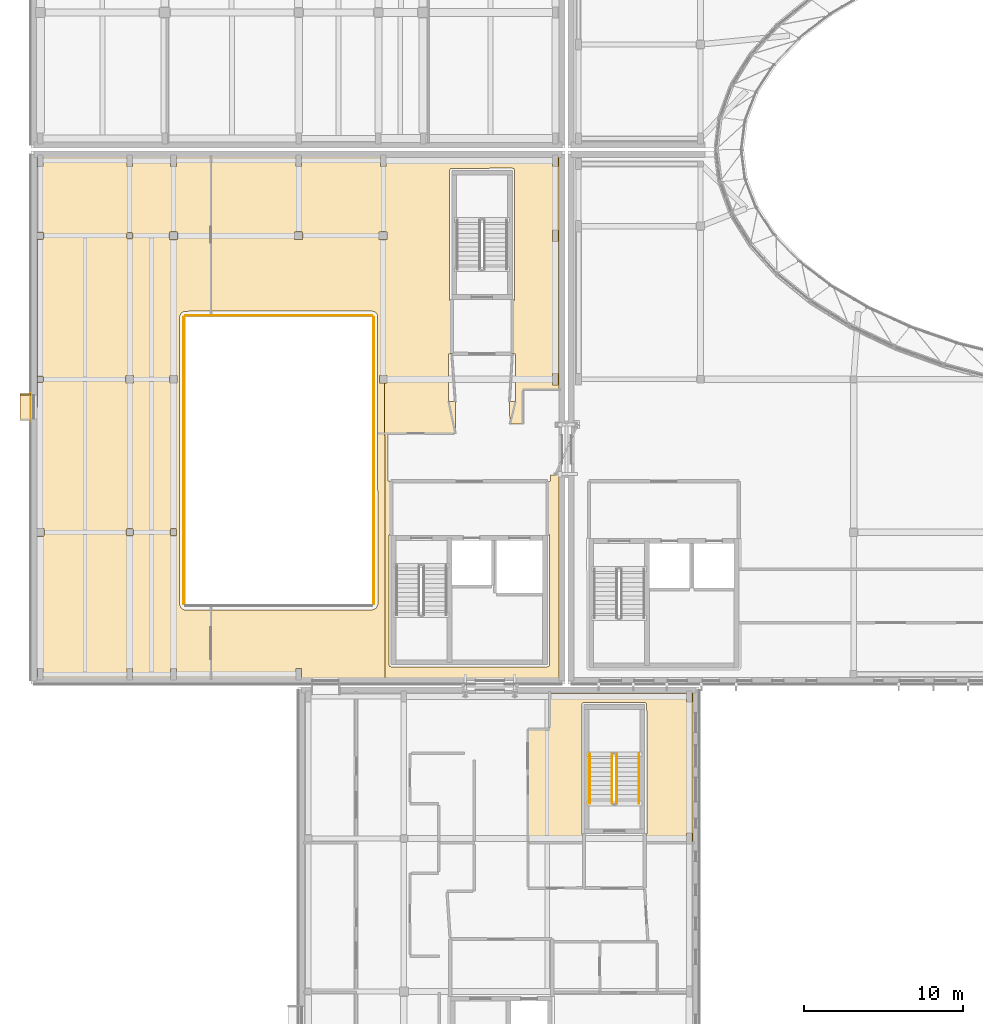
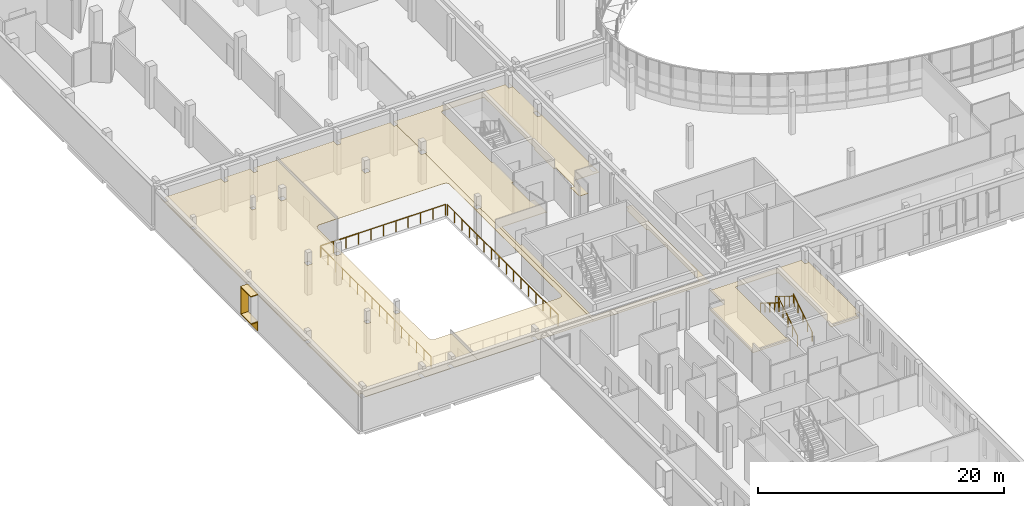
# One storey, part 65 of 84: 8 coverings, 7 railings.
"""IFC4 building model written with IfcOpenShell, lengths in metres."""

from ifc_helpers import new_model, si_unit, direction, frame, origin, origin_2d, place, context, subcontext, project, spatial, polyline, rectangle, circle, outline, extrude, material, layer, layer_set, type_object, element, save


model = new_model("IFC4")

# Units and contexts
model_context = context("Model", 3, precision=1e-05, world=origin(), true_north=direction((0.0, 1.0)))
body_context = subcontext(model_context, "Body", "Model", "MODEL_VIEW")
ifc_project = project(units=[si_unit("LENGTHUNIT", "METRE"), si_unit("AREAUNIT", "SQUARE_METRE"), si_unit("VOLUMEUNIT", "CUBIC_METRE"), si_unit("PLANEANGLEUNIT", "RADIAN"), si_unit("MASSUNIT", "GRAM", prefix="KILO")], contexts=[model_context])

# Site, building, storey
site_placement = place(None, origin())
site = spatial("IfcSite", under=ifc_project, at=site_placement, CompositionType="ELEMENT")
building_placement = place(site_placement, origin())
building = spatial("IfcBuilding", under=site, at=building_placement, Name="Mzevani Central Library", CompositionType="ELEMENT")
storey_placement = place(building_placement, frame((0.0, 0.0, 5.39990234375)))
storey = spatial("IfcBuildingStorey", under=building, at=storey_placement, Name="L01", CompositionType="ELEMENT", Elevation=5.39990234375)

# Railings
ifc_material_1 = material(Name="Brushed stainless steel rail", Category="steel")
railing_type_1 = type_object("IfcRailingType", Name="Interior Gallery and Stair Guard 1100", PredefinedType="BALUSTRADE", material=ifc_material_1)
railing_1_placement = place(storey_placement, frame((22.0, 47.5, 0.0)))
element("IfcRailing", 1, at=railing_1_placement, inside=storey, type_object=railing_type_1, Name="L01 V5 Double-Height Void Guard 16", PredefinedType="BALUSTRADE", context=body_context, shape_type="SweptSolid", body=[
    extrude(circle(Radius=0.02392578125, at=origin_2d()), frame((0.0, 0.0, 1.076171875), z_axis=(0.0, 1.0, 0.0), x_axis=(-1.0, 0.0, 0.0)), (0.0, 0.0, 1.0), 18.0),
    extrude(circle(Radius=0.02099609375, at=origin_2d()), origin(), (0.0, 0.0, 1.0), 1.052001953125),
    extrude(circle(Radius=0.02099609375, at=origin_2d()), frame((0.0, 1.199951171875, 0.0)), (0.0, 0.0, 1.0), 1.052001953125),
    extrude(circle(Radius=0.02099609375, at=origin_2d()), frame((0.0, 2.39990234375, 0.0)), (0.0, 0.0, 1.0), 1.052001953125),
    extrude(circle(Radius=0.02099609375, at=origin_2d()), frame((0.0, 3.60009765625, 0.0)), (0.0, 0.0, 1.0), 1.052001953125),
    extrude(circle(Radius=0.02099609375, at=origin_2d()), frame((0.0, 4.800048828125, 0.0)), (0.0, 0.0, 1.0), 1.052001953125),
    extrude(circle(Radius=0.02099609375, at=origin_2d()), frame((0.0, 6.0, 0.0)), (0.0, 0.0, 1.0), 1.052001953125),
    extrude(circle(Radius=0.02099609375, at=origin_2d()), frame((0.0, 7.199951171875, 0.0)), (0.0, 0.0, 1.0), 1.052001953125),
    extrude(circle(Radius=0.02099609375, at=origin_2d()), frame((0.0, 8.39990234375, 0.0)), (0.0, 0.0, 1.0), 1.052001953125),
    extrude(circle(Radius=0.02099609375, at=origin_2d()), frame((0.0, 9.60009765625, 0.0)), (0.0, 0.0, 1.0), 1.052001953125),
    extrude(circle(Radius=0.02099609375, at=origin_2d()), frame((0.0, 10.800048828125, 0.0)), (0.0, 0.0, 1.0), 1.052001953125),
    extrude(circle(Radius=0.02099609375, at=origin_2d()), frame((0.0, 12.0, 0.0)), (0.0, 0.0, 1.0), 1.052001953125),
    extrude(circle(Radius=0.02099609375, at=origin_2d()), frame((0.0, 13.199951171875, 0.0)), (0.0, 0.0, 1.0), 1.052001953125),
    extrude(circle(Radius=0.02099609375, at=origin_2d()), frame((0.0, 14.39990234375, 0.0)), (0.0, 0.0, 1.0), 1.052001953125),
    extrude(circle(Radius=0.02099609375, at=origin_2d()), frame((0.0, 15.60009765625, 0.0)), (0.0, 0.0, 1.0), 1.052001953125),
    extrude(circle(Radius=0.02099609375, at=origin_2d()), frame((0.0, 16.800048828125, 0.0)), (0.0, 0.0, 1.0), 1.052001953125),
    extrude(circle(Radius=0.02099609375, at=origin_2d()), frame((0.0, 18.0, 0.0)), (0.0, 0.0, 1.0), 1.052001953125),
])
railing_2_placement = place(storey_placement, frame((22.10009765625, 65.60009765625, 0.0)))
element("IfcRailing", 2, at=railing_2_placement, inside=storey, type_object=railing_type_1, Name="L01 V5 Double-Height Void Guard 17", PredefinedType="BALUSTRADE", context=body_context, shape_type="SweptSolid", body=[
    extrude(circle(Radius=0.02392578125, at=origin_2d()), frame((0.0, 0.0, 1.076171875), z_axis=(1.0, 0.0, 0.0), x_axis=(0.0, 1.0, 0.0)), (0.0, 0.0, 1.0), 11.699951171875),
    extrude(circle(Radius=0.02099609375, at=origin_2d()), origin(), (0.0, 0.0, 1.0), 1.052001953125),
    extrude(circle(Radius=0.02099609375, at=origin_2d()), frame((1.169921875, 0.0, 0.0)), (0.0, 0.0, 1.0), 1.052001953125),
    extrude(circle(Radius=0.02099609375, at=origin_2d()), frame((2.340087890625, 0.0, 0.0)), (0.0, 0.0, 1.0), 1.052001953125),
    extrude(circle(Radius=0.02099609375, at=origin_2d()), frame((3.510009765625, 0.0, 0.0)), (0.0, 0.0, 1.0), 1.052001953125),
    extrude(circle(Radius=0.02099609375, at=origin_2d()), frame((4.679931640625, 0.0, 0.0)), (0.0, 0.0, 1.0), 1.052001953125),
    extrude(circle(Radius=0.02099609375, at=origin_2d()), frame((5.85009765625, 0.0, 0.0)), (0.0, 0.0, 1.0), 1.052001953125),
    extrude(circle(Radius=0.02099609375, at=origin_2d()), frame((7.02001953125, 0.0, 0.0)), (0.0, 0.0, 1.0), 1.052001953125),
    extrude(circle(Radius=0.02099609375, at=origin_2d()), frame((8.18994140625, 0.0, 0.0)), (0.0, 0.0, 1.0), 1.052001953125),
    extrude(circle(Radius=0.02099609375, at=origin_2d()), frame((9.35986328125, 0.0, 0.0)), (0.0, 0.0, 1.0), 1.052001953125),
    extrude(circle(Radius=0.02099609375, at=origin_2d()), frame((10.530029296875, 0.0, 0.0)), (0.0, 0.0, 1.0), 1.052001953125),
    extrude(circle(Radius=0.02099609375, at=origin_2d()), frame((11.699951171875, 0.0, 0.0)), (0.0, 0.0, 1.0), 1.052001953125),
])
railing_3_placement = place(storey_placement, frame((33.89990234375, 65.5, 0.0)))
element("IfcRailing", 3, at=railing_3_placement, inside=storey, type_object=railing_type_1, Name="L01 V5 Double-Height Void Guard 18", PredefinedType="BALUSTRADE", context=body_context, shape_type="SweptSolid", body=[
    extrude(circle(Radius=0.02392578125, at=origin_2d()), frame((0.0, 0.0, 1.076171875), z_axis=(0.0, -1.0, 0.0), x_axis=(1.0, 0.0, 0.0)), (0.0, 0.0, 1.0), 18.0),
    extrude(circle(Radius=0.02099609375, at=origin_2d()), origin(), (0.0, 0.0, 1.0), 1.052001953125),
    extrude(circle(Radius=0.02099609375, at=origin_2d()), frame((0.0, -1.199951171875, 0.0)), (0.0, 0.0, 1.0), 1.052001953125),
    extrude(circle(Radius=0.02099609375, at=origin_2d()), frame((0.0, -2.39990234375, 0.0)), (0.0, 0.0, 1.0), 1.052001953125),
    extrude(circle(Radius=0.02099609375, at=origin_2d()), frame((0.0, -3.60009765625, 0.0)), (0.0, 0.0, 1.0), 1.052001953125),
    extrude(circle(Radius=0.02099609375, at=origin_2d()), frame((0.0, -4.800048828125, 0.0)), (0.0, 0.0, 1.0), 1.052001953125),
    extrude(circle(Radius=0.02099609375, at=origin_2d()), frame((0.0, -6.0, 0.0)), (0.0, 0.0, 1.0), 1.052001953125),
    extrude(circle(Radius=0.02099609375, at=origin_2d()), frame((0.0, -7.199951171875, 0.0)), (0.0, 0.0, 1.0), 1.052001953125),
    extrude(circle(Radius=0.02099609375, at=origin_2d()), frame((0.0, -8.39990234375, 0.0)), (0.0, 0.0, 1.0), 1.052001953125),
    extrude(circle(Radius=0.02099609375, at=origin_2d()), frame((0.0, -9.60009765625, 0.0)), (0.0, 0.0, 1.0), 1.052001953125),
    extrude(circle(Radius=0.02099609375, at=origin_2d()), frame((0.0, -10.800048828125, 0.0)), (0.0, 0.0, 1.0), 1.052001953125),
    extrude(circle(Radius=0.02099609375, at=origin_2d()), frame((0.0, -12.0, 0.0)), (0.0, 0.0, 1.0), 1.052001953125),
    extrude(circle(Radius=0.02099609375, at=origin_2d()), frame((0.0, -13.199951171875, 0.0)), (0.0, 0.0, 1.0), 1.052001953125),
    extrude(circle(Radius=0.02099609375, at=origin_2d()), frame((0.0, -14.39990234375, 0.0)), (0.0, 0.0, 1.0), 1.052001953125),
    extrude(circle(Radius=0.02099609375, at=origin_2d()), frame((0.0, -15.60009765625, 0.0)), (0.0, 0.0, 1.0), 1.052001953125),
    extrude(circle(Radius=0.02099609375, at=origin_2d()), frame((0.0, -16.800048828125, 0.0)), (0.0, 0.0, 1.0), 1.052001953125),
    extrude(circle(Radius=0.02099609375, at=origin_2d()), frame((0.0, -18.0, 0.0)), (0.0, 0.0, 1.0), 1.052001953125),
])
railing_4_placement = place(storey_placement, frame((49.14990234375, 35.0, 0.175048828125)))
element("IfcRailing", 4, at=railing_4_placement, inside=storey, type_object=railing_type_1, Name="L01 ST-08 stair guard 1", PredefinedType="BALUSTRADE", context=body_context, shape_type="SweptSolid", body=[
    extrude(circle(Radius=0.02392578125, at=origin_2d()), frame((0.0, 0.0, 1.076171875), z_axis=(0.0, 0.847998304005, 0.529998940003), x_axis=(-1.0, 0.0, 0.0)), (0.0, 0.0, 1.0), 3.632080078125),
    extrude(circle(Radius=0.02099609375, at=origin_2d()), origin(), (0.0, 0.0, 1.0), 1.052001953125),
    extrude(circle(Radius=0.02099609375, at=origin_2d()), frame((0.0, 0.77001953125, 0.481201171875)), (0.0, 0.0, 1.0), 1.052001953125),
    extrude(circle(Radius=0.02099609375, at=origin_2d()), frame((0.0, 1.5400390625, 0.96240234375)), (0.0, 0.0, 1.0), 1.052001953125),
    extrude(circle(Radius=0.02099609375, at=origin_2d()), frame((0.0, 2.31005859375, 1.44384765625)), (0.0, 0.0, 1.0), 1.052001953125),
    extrude(circle(Radius=0.02099609375, at=origin_2d()), frame((0.0, 3.080078125, 1.925048828125)), (0.0, 0.0, 1.0), 1.052001953125),
])
railing_5_placement = place(storey_placement, frame((48.85009765625, 38.080078125, 2.275146484375)))
element("IfcRailing", 5, at=railing_5_placement, inside=storey, type_object=railing_type_1, Name="L01 ST-08 stair guard 3", PredefinedType="BALUSTRADE", context=body_context, shape_type="SweptSolid", body=[
    extrude(circle(Radius=0.02392578125, at=origin_2d()), frame((0.0, 0.0, 1.076171875), z_axis=(0.0, -0.847998304005, 0.529998940003), x_axis=(1.0, 0.0, 0.0)), (0.0, 0.0, 1.0), 3.632080078125),
    extrude(circle(Radius=0.02099609375, at=origin_2d()), origin(), (0.0, 0.0, 1.0), 1.052001953125),
    extrude(circle(Radius=0.02099609375, at=origin_2d()), frame((0.0, -0.77001953125, 0.481201171875)), (0.0, 0.0, 1.0), 1.052001953125),
    extrude(circle(Radius=0.02099609375, at=origin_2d()), frame((0.0, -1.5400390625, 0.96240234375)), (0.0, 0.0, 1.0), 1.052001953125),
    extrude(circle(Radius=0.02099609375, at=origin_2d()), frame((0.0, -2.31005859375, 1.44384765625)), (0.0, 0.0, 1.0), 1.052001953125),
    extrude(circle(Radius=0.02099609375, at=origin_2d()), frame((0.0, -3.080078125, 1.925048828125)), (0.0, 0.0, 1.0), 1.052001953125),
])

# Coverings
ifc_material_2 = material(Name="Limestone ashlar cladding", Category="masonry")
ifc_layer_1 = layer(ifc_material_2, 0.050048828125, Name="Limestone Ashlar Spandrel Cladding")
ifc_layer_set_1 = layer_set([ifc_layer_1], Name="Limestone ashlar cladding")
covering_type_1 = type_object("IfcCoveringType", Name="Limestone Ashlar Spandrel Cladding", PredefinedType="CLADDING", material=ifc_layer_set_1)
for number, where, z_axis, x_axis, name in (
    (6, (12.06201171875, 59.8603515625, 3.56005859375), (0.0, 0.0, 1.0), (0.0, 1.0, 0.0), "L01 Deep Window Reveal HD (REV4-0188)"),
    (7, (12.06201171875, 59.8603515625, 0.8701171875), (0.0, 0.0, 1.0), (0.0, 1.0, 0.0), "L01 Deep Window Reveal SL (REV4-0188)"),
):
    element("IfcCovering", number, at=place(storey_placement, frame(where, z_axis=z_axis, x_axis=x_axis)), inside=storey, type_object=covering_type_1, Name=name, PredefinedType="CLADDING", context=body_context, shape_type="SweptSolid", body=[
        extrude(rectangle(XDim=1.679931640625, YDim=0.679931640625, at=origin_2d()), origin(), (0.0, 0.0, 1.0), 0.090087890625),
    ])
covering_1_placement = place(storey_placement, frame((12.06201171875, 60.655517578125, 0.9599609375), z_axis=(0.0, 0.0, 1.0), x_axis=(0.0, 1.0, 0.0)))
element("IfcCovering", 8, at=covering_1_placement, inside=storey, type_object=covering_type_1, Name="L01 Deep Window Reveal JR (REV4-0188)", PredefinedType="CLADDING", context=body_context, shape_type="SweptSolid", body=[
    extrude(rectangle(XDim=0.090087890625, YDim=0.679931640625, at=origin_2d()), origin(), (0.0, 0.0, 1.0), 2.60009765625),
])
covering_2_placement = place(storey_placement, frame((12.3759765625, 59.8603515625, 0.0), z_axis=(0.0, 0.0, 1.0), x_axis=(0.0, 1.0, 0.0)))
element("IfcCovering", 9, at=covering_2_placement, inside=storey, type_object=covering_type_1, Name="L01 Warm-White Sill Cladding 2 (EW4-V5-L01-0092)", PredefinedType="CLADDING", context=body_context, shape_type="SweptSolid", body=[
    extrude(rectangle(XDim=1.699951171875, YDim=0.050048828125, at=origin_2d()), origin(), (0.0, 0.0, 1.0), 0.860107421875),
])
ifc_material_3 = material(Name="Mineral wool acoustic ceiling")
ifc_layer_2 = layer(ifc_material_3, 0.0400390625, Name="Perforated Timber Acoustic Ceiling")
ifc_layer_set_2 = layer_set([ifc_layer_2], Name="Mineral wool acoustic ceiling")
covering_type_2 = type_object("IfcCoveringType", Name="Perforated Timber Acoustic Ceiling", PredefinedType="CEILING", material=ifc_layer_set_2)
covering_3_placement = place(storey_placement, frame((0.0, 0.0, 2.9501953125)))
element("IfcCovering", 10, at=covering_3_placement, inside=storey, type_object=covering_type_2, Name="L01 Digital Fabrication and Maker Studio 6 Acoustic Ceiling", PredefinedType="CEILING", context=body_context, shape_type="SweptSolid", body=[
    extrude(outline(polyline([(51.0400390625, 33.10205078125), (51.028564453125, 41.251953125), (50.89697265625, 41.340087890625), (47.087890625, 41.33935546875), (46.9921875, 41.2880859375), (46.9599609375, 41.1982421875), (46.9599609375, 33.10205078125), (47.001708984375, 33.001708984375), (47.109619140625, 32.952880859375), (47.109130859375, 32.53125), (43.57177734375, 32.529296875), (43.570068359375, 39.65087890625), (44.93994140625, 39.659912109375), (44.9443359375, 41.92822265625), (53.52490234375, 41.929931640625), (53.52490234375, 41.35009765625), (53.875, 41.35009765625), (53.875, 41.929931640625), (53.92822265625, 41.925537109375), (53.9296875, 32.531982421875), (53.875, 32.52490234375), (53.875, 33.14990234375), (53.52490234375, 33.14990234375), (53.52490234375, 32.52490234375), (50.89794921875, 32.525146484375), (50.89013671875, 32.951904296875), (50.998291015625, 33.001708984375), (51.0400390625, 33.10205078125)])), origin(), (0.0, 0.0, 1.0), 0.039794921875),
])
covering_4_placement = place(storey_placement, frame((0.0, 0.0, 2.9501953125)))
element("IfcCovering", 11, at=covering_4_placement, inside=storey, type_object=covering_type_2, Name="L01 Auditorium Upper Projection Balcony Acoustic Ceiling", PredefinedType="CEILING", context=body_context, shape_type="SweptSolid", body=[
    extrude(outline(polyline([(12.7744140625, 75.5283203125), (12.824951171875, 75.530029296875), (12.824951171875, 74.949951171875), (13.175048828125, 74.949951171875), (13.175048828125, 75.530029296875), (18.425048828125, 75.530029296875), (18.425048828125, 74.949951171875), (18.77490234375, 74.949951171875), (18.77490234375, 75.530029296875), (21.175048828125, 75.530029296875), (21.175048828125, 74.949951171875), (21.52490234375, 74.949951171875), (21.52490234375, 75.530029296875), (23.702880859375, 75.52294921875), (23.703125, 65.878173828125), (22.02880859375, 65.86279296875), (21.814453125, 65.734375), (21.72998046875, 65.498291015625), (21.731689453125, 47.465087890625), (21.8388671875, 47.238525390625), (22.0283203125, 47.13720703125), (23.702392578125, 47.123779296875), (23.6962890625, 42.870361328125), (21.52490234375, 42.8701171875), (21.52490234375, 43.449951171875), (21.175048828125, 43.449951171875), (21.175048828125, 42.8701171875), (18.77490234375, 42.8701171875), (18.77490234375, 43.449951171875), (18.425048828125, 43.449951171875), (18.425048828125, 42.8701171875), (13.175048828125, 42.8701171875), (13.175048828125, 43.449951171875), (12.824951171875, 43.449951171875), (12.824951171875, 42.8701171875), (12.7705078125, 42.877197265625), (12.7744140625, 75.5283203125)]), holes=[polyline([(12.77490234375, 52.22509765625), (12.77490234375, 51.77490234375), (13.22509765625, 51.77490234375), (13.22509765625, 52.22509765625), (12.77490234375, 52.22509765625)]), polyline([(13.175048828125, 61.77490234375), (12.824951171875, 61.77490234375), (12.824951171875, 61.425048828125), (13.175048828125, 61.425048828125), (13.175048828125, 61.77490234375)]), polyline([(13.199951171875, 70.39990234375), (13.199951171875, 70.800048828125), (12.800048828125, 70.800048828125), (12.800048828125, 70.39990234375), (13.199951171875, 70.39990234375)]), polyline([(18.800048828125, 52.199951171875), (18.39990234375, 52.199951171875), (18.39990234375, 51.800048828125), (18.800048828125, 51.800048828125), (18.800048828125, 52.199951171875)]), polyline([(18.824951171875, 61.375), (18.824951171875, 61.824951171875), (18.375, 61.824951171875), (18.375, 61.375), (18.824951171875, 61.375)]), polyline([(18.425048828125, 70.425048828125), (18.77490234375, 70.425048828125), (18.77490234375, 70.77490234375), (18.425048828125, 70.77490234375), (18.425048828125, 70.425048828125)]), polyline([(21.550048828125, 51.800048828125), (21.550048828125, 52.199951171875), (21.14990234375, 52.199951171875), (21.14990234375, 51.800048828125), (21.550048828125, 51.800048828125)]), polyline([(21.125, 61.375), (21.574951171875, 61.375), (21.574951171875, 61.824951171875), (21.125, 61.824951171875), (21.125, 61.375)]), polyline([(21.10009765625, 70.85009765625), (21.10009765625, 70.35009765625), (21.60009765625, 70.35009765625), (21.60009765625, 70.85009765625), (21.10009765625, 70.85009765625)])]), origin(), (0.0, 0.0, 1.0), 0.039794921875),
])
covering_5_placement = place(storey_placement, frame((0.0, 0.0, 2.9501953125)))
element("IfcCovering", 12, at=covering_5_placement, inside=storey, type_object=covering_type_2, Name="L01 Tiered Civic Lecture Hall Acoustic Ceiling", PredefinedType="CEILING", context=body_context, shape_type="SweptSolid", body=[
    extrude(outline(polyline([(23.683349609375, 47.12109375), (33.798095703125, 47.1298828125), (34.06103515625, 47.239013671875), (34.169921875, 47.501953125), (34.14111328125, 65.641845703125), (34.00537109375, 65.807373046875), (33.798583984375, 65.8701171875), (23.686279296875, 65.872802734375), (23.68408203125, 75.523681640625), (29.02490234375, 75.530029296875), (29.02490234375, 74.949951171875), (29.375, 74.949951171875), (29.375, 75.530029296875), (34.324951171875, 75.530029296875), (34.324951171875, 74.949951171875), (34.61669921875, 74.949951171875), (34.61669921875, 70.85009765625), (34.25, 70.85009765625), (34.25, 70.35009765625), (34.61669921875, 70.35009765625), (34.61669921875, 61.824951171875), (34.27490234375, 61.824951171875), (34.27490234375, 61.375), (34.61669921875, 61.375), (34.615966796875, 42.876220703125), (29.375, 42.8701171875), (29.375, 43.449951171875), (29.02490234375, 43.449951171875), (29.02490234375, 42.8701171875), (23.689453125, 42.870849609375), (23.683349609375, 47.12109375)]), holes=[polyline([(29.449951171875, 70.85009765625), (28.949951171875, 70.85009765625), (28.949951171875, 70.35009765625), (29.449951171875, 70.35009765625), (29.449951171875, 70.85009765625)])]), origin(), (0.0, 0.0, 1.0), 0.039794921875),
])
covering_6_placement = place(storey_placement, frame((0.0, 0.0, 2.9501953125)))
element("IfcCovering", 13, at=covering_6_placement, inside=storey, type_object=covering_type_2, Name="L01 Visiting Lecturers' Preparation Office Acoustic Ceiling", PredefinedType="CEILING", context=body_context, shape_type="SweptSolid", body=[
    extrude(outline(polyline([(43.260009765625, 58.800048828125), (42.44921875, 58.7998046875), (42.41162109375, 60.20263671875), (42.7900390625, 60.2099609375), (42.7900390625, 63.18994140625), (42.590087890625, 63.199951171875), (42.590087890625, 66.449951171875), (42.698486328125, 66.501708984375), (42.739990234375, 66.60205078125), (42.737060546875, 74.7265625), (42.6884765625, 74.807861328125), (42.598388671875, 74.840087890625), (38.735107421875, 74.822265625), (38.659912109375, 74.697265625), (38.659912109375, 66.60205078125), (38.70166015625, 66.501708984375), (38.81005859375, 66.449951171875), (38.81005859375, 63.199951171875), (38.610107421875, 63.18994140625), (38.610107421875, 60.2099609375), (39.02978515625, 60.201904296875), (39.030029296875, 58.198974609375), (34.81005859375, 58.18994140625), (34.81005859375, 55.2099609375), (35.010009765625, 55.199951171875), (35.010009765625, 51.949951171875), (34.901611328125, 51.8984375), (34.860107421875, 51.798095703125), (34.86279296875, 43.673583984375), (34.91162109375, 43.59228515625), (35.001708984375, 43.56005859375), (44.7978515625, 43.56005859375), (44.907958984375, 43.612060546875), (44.93994140625, 43.70166015625), (44.93994140625, 51.798095703125), (44.8984375, 51.8984375), (44.7900390625, 51.949951171875), (44.7900390625, 55.1787109375), (44.989990234375, 55.208984375), (44.995361328125, 55.60888671875), (45.52099609375, 55.610107421875), (45.530029296875, 42.87890625), (34.60205078125, 42.87109375), (34.5966796875, 61.375), (34.72509765625, 61.375), (34.72509765625, 61.824951171875), (34.5966796875, 61.824951171875), (34.5966796875, 70.35009765625), (34.75, 70.35009765625), (34.75, 70.85009765625), (34.5966796875, 70.85009765625), (34.5966796875, 74.949951171875), (34.675048828125, 74.949951171875), (34.675048828125, 75.530029296875), (45.125, 75.530029296875), (45.125, 74.949951171875), (45.47509765625, 74.949951171875), (45.47509765625, 75.530029296875), (45.52880859375, 75.524658203125), (45.530029296875, 60.948974609375), (43.260009765625, 60.93994140625), (43.260009765625, 58.800048828125)]), holes=[polyline([(45.125, 61.25), (45.47509765625, 61.25), (45.47509765625, 61.949951171875), (45.125, 61.949951171875), (45.125, 61.25)]), polyline([(45.125, 70.949951171875), (45.125, 70.25), (45.47509765625, 70.25), (45.47509765625, 70.949951171875), (45.125, 70.949951171875)])]), origin(), (0.0, 0.0, 1.0), 0.039794921875),
])

# Railings
railing_type_2 = type_object("IfcRailingType", Name="Stair Wall Handrail 920", PredefinedType="HANDRAIL", material=ifc_material_1)
railing_6_placement = place(storey_placement, frame((50.550048828125, 35.0, 0.175048828125)))
element("IfcRailing", 14, at=railing_6_placement, inside=storey, type_object=railing_type_2, Name="L01 ST-08 stair handrail 1", PredefinedType="HANDRAIL", context=body_context, shape_type="SweptSolid", body=[
    extrude(circle(Radius=0.02392578125, at=origin_2d()), frame((0.0, 0.0, 0.89599609375), z_axis=(0.0, 0.847998304005, 0.529998940003), x_axis=(-1.0, 0.0, 0.0)), (0.0, 0.0, 1.0), 3.632080078125),
    extrude(circle(Radius=0.02099609375, at=origin_2d()), origin(), (0.0, 0.0, 1.0), 0.871826171875),
    extrude(circle(Radius=0.02099609375, at=origin_2d()), frame((0.0, 0.77001953125, 0.481201171875)), (0.0, 0.0, 1.0), 0.871826171875),
    extrude(circle(Radius=0.02099609375, at=origin_2d()), frame((0.0, 1.5400390625, 0.96240234375)), (0.0, 0.0, 1.0), 0.871826171875),
    extrude(circle(Radius=0.02099609375, at=origin_2d()), frame((0.0, 2.31005859375, 1.44384765625)), (0.0, 0.0, 1.0), 0.871826171875),
    extrude(circle(Radius=0.02099609375, at=origin_2d()), frame((0.0, 3.080078125, 1.925048828125)), (0.0, 0.0, 1.0), 0.871826171875),
])
railing_7_placement = place(storey_placement, frame((47.449951171875, 38.080078125, 2.275146484375)))
element("IfcRailing", 15, at=railing_7_placement, inside=storey, type_object=railing_type_2, Name="L01 ST-08 stair handrail 2", PredefinedType="HANDRAIL", context=body_context, shape_type="SweptSolid", body=[
    extrude(circle(Radius=0.02392578125, at=origin_2d()), frame((0.0, 0.0, 0.89599609375), z_axis=(0.0, -0.847998304005, 0.529998940003), x_axis=(1.0, 0.0, 0.0)), (0.0, 0.0, 1.0), 3.632080078125),
    extrude(circle(Radius=0.02099609375, at=origin_2d()), origin(), (0.0, 0.0, 1.0), 0.871826171875),
    extrude(circle(Radius=0.02099609375, at=origin_2d()), frame((0.0, -0.77001953125, 0.481201171875)), (0.0, 0.0, 1.0), 0.871826171875),
    extrude(circle(Radius=0.02099609375, at=origin_2d()), frame((0.0, -1.5400390625, 0.96240234375)), (0.0, 0.0, 1.0), 0.871826171875),
    extrude(circle(Radius=0.02099609375, at=origin_2d()), frame((0.0, -2.31005859375, 1.44384765625)), (0.0, 0.0, 1.0), 0.871826171875),
    extrude(circle(Radius=0.02099609375, at=origin_2d()), frame((0.0, -3.080078125, 1.925048828125)), (0.0, 0.0, 1.0), 0.871826171875),
])

save(model, "model.ifc")
